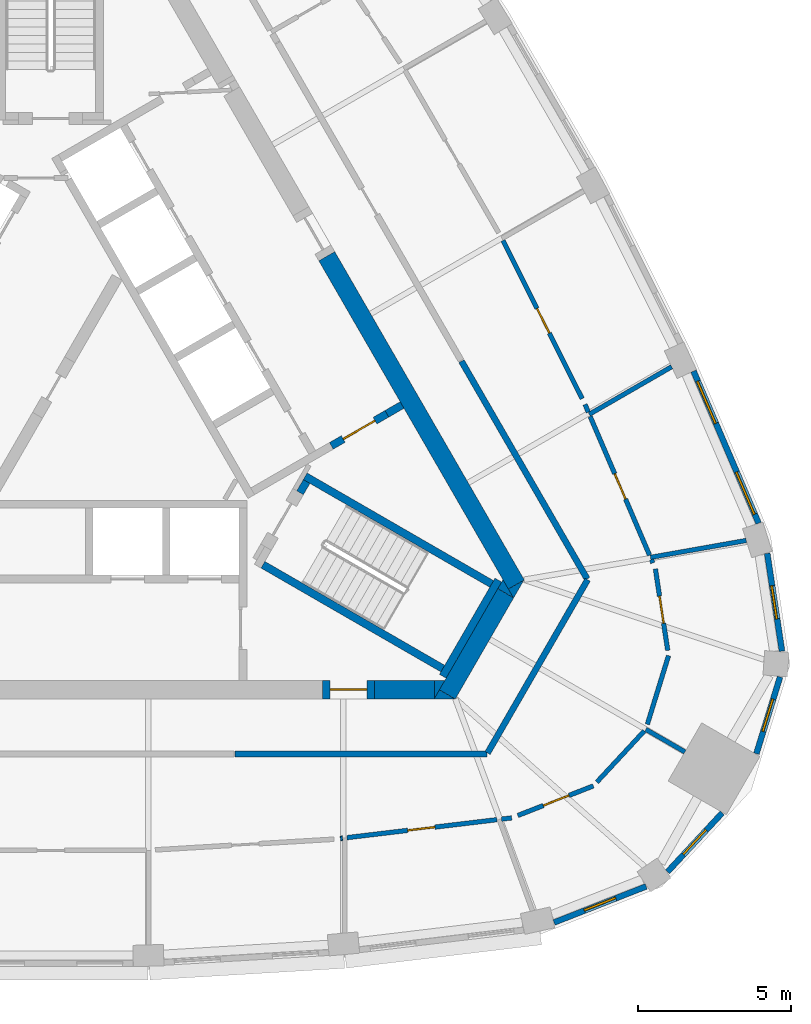
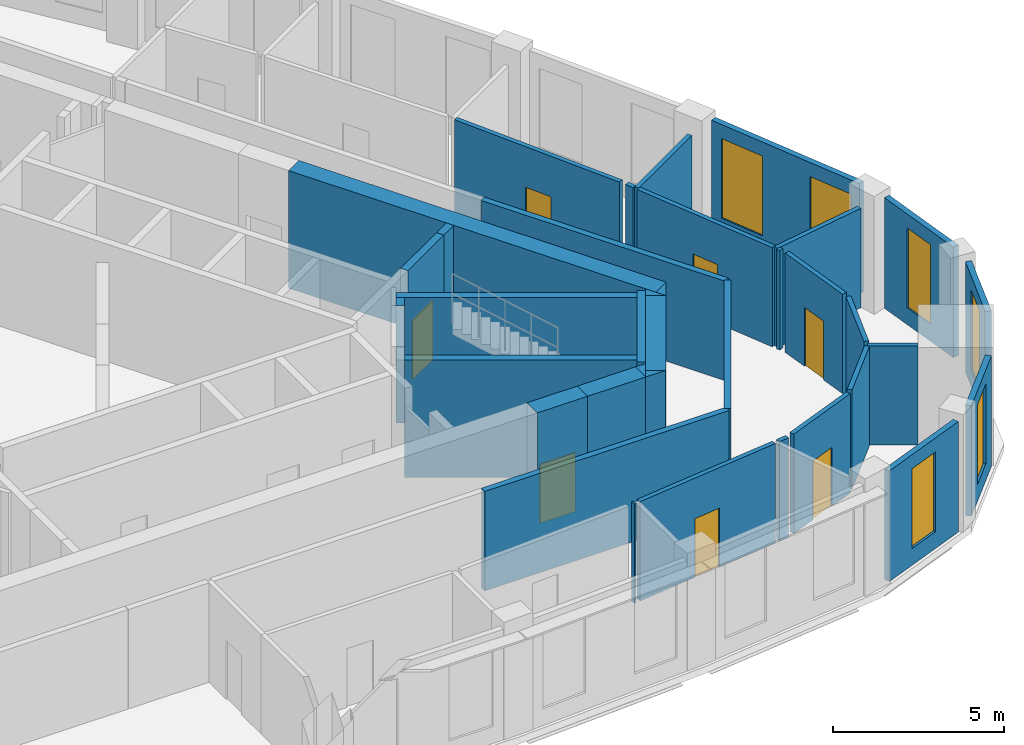
# One storey, part 7 of 10: 36 walls, 7 doors, 6 windows, 13 openings.
"""IFC4 building model written with IfcOpenShell, lengths in metres."""

from ifc_helpers import new_model, si_unit, direction, frame, frame_2d, origin, place, context, subcontext, project, spatial, polyline, rectangle, outline, extrude, material, layer, layer_set, type_object, element, fill, save


model = new_model("IFC4")

# Units and contexts
model_context = context("Model", 3, precision=1e-05, world=origin(), true_north=direction((0.0, 1.0)))
body_context = subcontext(model_context, "Body", "Model", "MODEL_VIEW")
ifc_project = project(units=[si_unit("LENGTHUNIT", "METRE"), si_unit("AREAUNIT", "SQUARE_METRE"), si_unit("VOLUMEUNIT", "CUBIC_METRE"), si_unit("PLANEANGLEUNIT", "RADIAN"), si_unit("MASSUNIT", "GRAM", prefix="KILO")], contexts=[model_context])

# Site, building, storey
site_placement = place(None, origin())
site = spatial("IfcSite", under=ifc_project, at=site_placement, CompositionType="ELEMENT")
building_placement = place(site_placement, origin())
building = spatial("IfcBuilding", under=site, at=building_placement, Name="Mestral Congress Tower", CompositionType="ELEMENT")
storey_placement = place(building_placement, frame((0.0, 0.0, 267.0)))
storey = spatial("IfcBuildingStorey", under=building, at=storey_placement, Name="L62", CompositionType="ELEMENT", Elevation=267.0)

# Walls
ifc_material_1 = material(Name="Concrete C60/75", Category="concrete")
ifc_layer_1 = layer(ifc_material_1, 0.60009765625)
ifc_layer_set_1 = layer_set([ifc_layer_1], Name="Concrete C60/75")
wall_type_1 = type_object("IfcWallType", Name="Core wall RC 600", PredefinedType="SOLIDWALL", material=ifc_layer_set_1)
wall_1_placement = place(storey_placement, frame((9.0419921875, 4.23876953125, 0.0), z_axis=(0.0, 0.0, 1.0), x_axis=(0.500005785455, -0.866022063525, 0.0)))
element("IfcWall", 1, at=wall_1_placement, inside=storey, type_object=wall_type_1, Name="L62 core wall", PredefinedType="SOLIDWALL", context=body_context, shape_type="SweptSolid", body=[
    extrude(rectangle(XDim=12.406494140625, YDim=0.60009765625, at=frame_2d((6.203125, 0.0))), origin(), (0.0, 0.0, 1.0), 4.199951171875),
])
placement = place(storey_placement, origin())
element("IfcWall", 2, at=placement, inside=storey, type_object=wall_type_1, Name="L62 core wall", PredefinedType="SOLIDWALL", context=body_context, shape_type="SweptSolid", body=[
    extrude(outline(polyline([(15.155517578125, -6.949951171875), (14.986572265625, -6.6572265625), (15.493408203125, -6.364501953125), (15.155517578125, -6.949951171875)])), origin(), (0.0, 0.0, 1.0), 4.199951171875),
])
wall_3_placement = place(storey_placement, frame((12.9873046875, -10.105712890625, 0.0), z_axis=(0.0, 0.0, 1.0), x_axis=(0.499950938802, 0.866053727428, 0.0)))
element("IfcWall", 3, at=wall_3_placement, inside=storey, type_object=wall_type_1, Name="L62 core wall", PredefinedType="SOLIDWALL", context=body_context, shape_type="SweptSolid", body=[
    extrude(rectangle(XDim=3.8232421875, YDim=0.60009765625, at=frame_2d((1.91162109375, 0.0))), origin(), (0.0, 0.0, 1.0), 4.199951171875),
])
element("IfcWall", 4, at=placement, inside=storey, type_object=wall_type_1, Name="L62 core wall", PredefinedType="SOLIDWALL", context=body_context, shape_type="SweptSolid", body=[
    extrude(outline(polyline([(12.726318359375, -9.957275390625), (13.2333984375, -10.25), (12.557373046875, -10.25), (12.726318359375, -9.957275390625)])), origin(), (0.0, 0.0, 1.0), 4.199951171875),
])
element("IfcWall", 5, at=placement, inside=storey, type_object=wall_type_1, Name="L62 core wall", PredefinedType="SOLIDWALL", context=body_context, shape_type="SweptSolid", body=[
    extrude(outline(polyline([(14.80908203125, -6.35009765625), (15.147216796875, -6.935791015625), (14.639892578125, -6.642822265625), (14.80908203125, -6.35009765625)])), origin(), (0.0, 0.0, 1.0), 4.199951171875),
])
wall_6_placement = place(storey_placement, frame((10.6044921875, -9.949951171875, 0.0), z_axis=(0.0, 0.0, 1.0), x_axis=(1.0, 0.0, 0.0)))
element("IfcWall", 6, at=wall_6_placement, inside=storey, type_object=wall_type_1, Name="L62 core wall", PredefinedType="SOLIDWALL", context=body_context, shape_type="SweptSolid", body=[
    extrude(rectangle(XDim=1.959228515625, YDim=0.60009765625, at=frame_2d((0.9794921875, 0.0))), origin(), (0.0, 0.0, 1.0), 4.199951171875),
])
element("IfcWall", 7, at=placement, inside=storey, type_object=wall_type_1, Name="L62 core wall", PredefinedType="SOLIDWALL", context=body_context, shape_type="SweptSolid", body=[
    extrude(outline(polyline([(12.90380859375, -9.64990234375), (12.56591796875, -10.235595703125), (12.56591796875, -9.64990234375), (12.90380859375, -9.64990234375)])), origin(), (0.0, 0.0, 1.0), 4.199951171875),
])

# Wall, opening, door
wall_8_placement = place(storey_placement, frame((10.6044921875, -9.949951171875, 0.0), z_axis=(0.0, 0.0, 1.0), x_axis=(-1.0, 0.0, 0.0)))
wall_8 = element("IfcWall", 8, at=wall_8_placement, inside=storey, type_object=wall_type_1, Name="L62 door wall", PredefinedType="SOLIDWALL", context=body_context, shape_type="SweptSolid", body=[
    extrude(rectangle(XDim=1.699951171875, YDim=0.60009765625, at=frame_2d((0.85009765625, 0.0))), origin(), (0.0, 0.0, 1.0), 4.199951171875),
])
opening_1_placement = place(wall_8_placement, frame((0.25, 0.0, 0.0)))
opening_1 = element("IfcOpeningElement", 9, at=opening_1_placement, cuts=wall_8, Name="Opening XD1", PredefinedType="OPENING", context=body_context, shape_type="SweptSolid", body=[
    extrude(rectangle(XDim=1.199951171875, YDim=2.10009765625, at=frame_2d((0.60009765625, 1.050048828125))), frame((0.0, 0.31005859375, 0.0), z_axis=(0.0, -1.0, 0.0), x_axis=(1.0, 0.0, 0.0)), (0.0, 0.0, 1.0), 0.6201171875),
])
ifc_material_2 = material(Name="Fire-rated steel door set", Category="steel")
door_type_1 = type_object("IfcDoorType", Name="Core door XD 1200x2100", OperationType="SINGLE_SWING_LEFT", PredefinedType="DOOR", material=ifc_material_2)
door_1_placement = place(opening_1_placement, origin())
door_1 = element("IfcDoor", 10, at=door_1_placement, inside=storey, type_object=door_type_1, Name="Door XD1", OperationType="SINGLE_SWING_LEFT", OverallHeight=2.10009765625, OverallWidth=1.199951171875, PredefinedType="DOOR", context=body_context, shape_type="SweptSolid", body=[
    extrude(rectangle(XDim=1.199951171875, YDim=2.10009765625, at=frame_2d((0.60009765625, 1.050048828125))), frame((0.0, 0.02490234375, 0.0), z_axis=(0.0, -1.0, 0.0), x_axis=(1.0, 0.0, 0.0)), (0.0, 0.0, 1.0), 0.050048828125),
])
fill(opening_1, door_1)

# Wall, opening, window
ifc_material_3 = material(Name="Precast concrete C40/50 with limestone facing", Category="masonry")
ifc_layer_2 = layer(ifc_material_3, 0.18994140625)
ifc_layer_set_2 = layer_set([ifc_layer_2], Name="Precast concrete C40/50 with limestone facing")
wall_type_2 = type_object("IfcWallType", Name="Facade stone wall 190", PredefinedType="SOLIDWALL", material=ifc_layer_set_2)
wall_9_placement = place(storey_placement, frame((16.48291015625, -17.572998046875, 0.0), z_axis=(0.0, 0.0, 1.0), x_axis=(0.93100888477, 0.364996515709, 0.0)))
wall_9 = element("IfcWall", 11, at=wall_9_placement, inside=storey, type_object=wall_type_2, Name="Facade wall K0-0", PredefinedType="SOLIDWALL", context=body_context, shape_type="SweptSolid", body=[
    extrude(rectangle(XDim=3.23681640625, YDim=0.18994140625, at=frame_2d((1.618408203125, 0.0))), origin(), (0.0, 0.0, 1.0), 3.949951171875),
])
opening_2_placement = place(wall_9_placement, frame((1.068359375, 0.0, 0.60009765625)))
opening_2 = element("IfcOpeningElement", 12, at=opening_2_placement, cuts=wall_9, Name="Opening W7", PredefinedType="OPENING", context=body_context, shape_type="SweptSolid", body=[
    extrude(rectangle(XDim=1.10009765625, YDim=2.85009765625, at=frame_2d((0.550048828125, 1.425048828125))), frame((0.0, 0.10498046875, 0.0), z_axis=(0.0, -1.0, 0.0), x_axis=(1.0, 0.0, 0.0)), (0.0, 0.0, 1.0), 0.2099609375),
])
ifc_material_4 = material(Name="Clear low-emissivity double glazing", Category="glass")
window_type_1 = type_object("IfcWindowType", Name="Facade punched window 1100 x 2850 sill 600", PartitioningType="SINGLE_PANEL", PredefinedType="WINDOW", material=ifc_material_4)
window_1_placement = place(opening_2_placement, origin())
window_1 = element("IfcWindow", 13, at=window_1_placement, inside=storey, type_object=window_type_1, Name="Window K0-0", OverallHeight=2.85009765625, OverallWidth=1.10009765625, PartitioningType="SINGLE_PANEL", PredefinedType="WINDOW", context=body_context, shape_type="SweptSolid", body=[
    extrude(rectangle(XDim=1.10009765625, YDim=2.85009765625, at=frame_2d((0.550048828125, 1.425048828125))), frame((0.0, 0.044921875, 0.0), z_axis=(0.0, -1.0, 0.0), x_axis=(1.0, 0.0, 0.0)), (0.0, 0.0, 1.0), 0.06005859375),
])
fill(opening_2, window_1)

wall_10_placement = place(storey_placement, frame((20.197998046875, -15.91357421875, 0.0), z_axis=(0.0, 0.0, 1.0), x_axis=(0.680219354823, 0.733008614768, 0.0)))
wall_10 = element("IfcWall", 14, at=wall_10_placement, inside=storey, type_object=wall_type_2, Name="Facade wall K0-1", PredefinedType="SOLIDWALL", context=body_context, shape_type="SweptSolid", body=[
    extrude(rectangle(XDim=2.626953125, YDim=0.18994140625, at=frame_2d((1.3134765625, 0.0))), origin(), (0.0, 0.0, 1.0), 3.949951171875),
])
opening_3_placement = place(wall_10_placement, frame((0.763427734375, 0.0, 0.60009765625)))
opening_3 = element("IfcOpeningElement", 15, at=opening_3_placement, cuts=wall_10, Name="Opening W7", PredefinedType="OPENING", context=body_context, shape_type="SweptSolid", body=[
    extrude(rectangle(XDim=1.10009765625, YDim=2.85009765625, at=frame_2d((0.550048828125, 1.425048828125))), frame((0.0, 0.10498046875, 0.0), z_axis=(0.0, -1.0, 0.0), x_axis=(1.0, 0.0, 0.0)), (0.0, 0.0, 1.0), 0.2099609375),
])
window_2_placement = place(opening_3_placement, origin())
window_2 = element("IfcWindow", 16, at=window_2_placement, inside=storey, type_object=window_type_1, Name="Window K0-1", OverallHeight=2.85009765625, OverallWidth=1.10009765625, PartitioningType="SINGLE_PANEL", PredefinedType="WINDOW", context=body_context, shape_type="SweptSolid", body=[
    extrude(rectangle(XDim=1.10009765625, YDim=2.85009765625, at=frame_2d((0.550048828125, 1.425048828125))), frame((0.0, 0.044921875, 0.0), z_axis=(0.0, -1.0, 0.0), x_axis=(1.0, 0.0, 0.0)), (0.0, 0.0, 1.0), 0.06005859375),
])
fill(opening_3, window_2)

wall_11_placement = place(storey_placement, frame((23.1064453125, -12.04541015625, 0.0), z_axis=(0.0, 0.0, 1.0), x_axis=(0.294706210429, 0.9555879078, 0.0)))
wall_11 = element("IfcWall", 17, at=wall_11_placement, inside=storey, type_object=wall_type_2, Name="Facade wall K0-2", PredefinedType="SOLIDWALL", context=body_context, shape_type="SweptSolid", body=[
    extrude(rectangle(XDim=2.626953125, YDim=0.18994140625, at=frame_2d((1.3134765625, 0.0))), origin(), (0.0, 0.0, 1.0), 3.949951171875),
])
opening_4_placement = place(wall_11_placement, frame((0.763427734375, 0.0, 0.60009765625)))
opening_4 = element("IfcOpeningElement", 18, at=opening_4_placement, cuts=wall_11, Name="Opening W7", PredefinedType="OPENING", context=body_context, shape_type="SweptSolid", body=[
    extrude(rectangle(XDim=1.10009765625, YDim=2.85009765625, at=frame_2d((0.550048828125, 1.425048828125))), frame((0.0, 0.10498046875, 0.0), z_axis=(0.0, -1.0, 0.0), x_axis=(1.0, 0.0, 0.0)), (0.0, 0.0, 1.0), 0.2099609375),
])
window_3_placement = place(opening_4_placement, origin())
window_3 = element("IfcWindow", 19, at=window_3_placement, inside=storey, type_object=window_type_1, Name="Window K0-2", OverallHeight=2.85009765625, OverallWidth=1.10009765625, PartitioningType="SINGLE_PANEL", PredefinedType="WINDOW", context=body_context, shape_type="SweptSolid", body=[
    extrude(rectangle(XDim=1.10009765625, YDim=2.85009765625, at=frame_2d((0.550048828125, 1.425048828125))), frame((0.0, 0.044921875, 0.0), z_axis=(0.0, -1.0, 0.0), x_axis=(1.0, 0.0, 0.0)), (0.0, 0.0, 1.0), 0.06005859375),
])
fill(opening_4, window_3)

wall_12_placement = place(storey_placement, frame((23.94384765625, -8.6884765625, 0.0), z_axis=(0.0, 0.0, 1.0), x_axis=(-0.149421055602, 0.988773658702, 0.0)))
wall_12 = element("IfcWall", 20, at=wall_12_placement, inside=storey, type_object=wall_type_2, Name="Facade wall K0-3", PredefinedType="SOLIDWALL", context=body_context, shape_type="SweptSolid", body=[
    extrude(rectangle(XDim=3.23681640625, YDim=0.18994140625, at=frame_2d((1.618408203125, 0.0))), origin(), (0.0, 0.0, 1.0), 3.949951171875),
])
opening_5_placement = place(wall_12_placement, frame((1.068359375, 0.0, 0.60009765625)))
opening_5 = element("IfcOpeningElement", 21, at=opening_5_placement, cuts=wall_12, Name="Opening W7", PredefinedType="OPENING", context=body_context, shape_type="SweptSolid", body=[
    extrude(rectangle(XDim=1.10009765625, YDim=2.85009765625, at=frame_2d((0.550048828125, 1.425048828125))), frame((0.0, 0.10498046875, 0.0), z_axis=(0.0, -1.0, 0.0), x_axis=(1.0, 0.0, 0.0)), (0.0, 0.0, 1.0), 0.2099609375),
])
window_4_placement = place(opening_5_placement, origin())
window_4 = element("IfcWindow", 22, at=window_4_placement, inside=storey, type_object=window_type_1, Name="Window K0-3", OverallHeight=2.85009765625, OverallWidth=1.10009765625, PartitioningType="SINGLE_PANEL", PredefinedType="WINDOW", context=body_context, shape_type="SweptSolid", body=[
    extrude(rectangle(XDim=1.10009765625, YDim=2.85009765625, at=frame_2d((0.550048828125, 1.425048828125))), frame((0.0, 0.044921875, 0.0), z_axis=(0.0, -1.0, 0.0), x_axis=(1.0, 0.0, 0.0)), (0.0, 0.0, 1.0), 0.06005859375),
])
fill(opening_5, window_4)

# Wall, openings, windows
wall_13_placement = place(storey_placement, frame((23.1787109375, -4.50048828125, 0.0), z_axis=(0.0, 0.0, 1.0), x_axis=(-0.393347848476, 0.919389726992, 0.0)))
wall_13 = element("IfcWall", 23, at=wall_13_placement, inside=storey, type_object=wall_type_2, Name="Facade wall F1-00", PredefinedType="SOLIDWALL", context=body_context, shape_type="SweptSolid", body=[
    extrude(rectangle(XDim=5.414794921875, YDim=0.18994140625, at=frame_2d((2.70751953125, 0.0))), origin(), (0.0, 0.0, 1.0), 3.949951171875),
])
opening_6_placement = place(wall_13_placement, frame((0.322509765625, 0.0, 0.60009765625)))
opening_6 = element("IfcOpeningElement", 24, at=opening_6_placement, cuts=wall_13, Name="Opening W6", PredefinedType="OPENING", context=body_context, shape_type="SweptSolid", body=[
    extrude(rectangle(XDim=1.5, YDim=2.85009765625, at=frame_2d((0.75, 1.425048828125))), frame((0.0, 0.10498046875, 0.0), z_axis=(0.0, -1.0, 0.0), x_axis=(1.0, 0.0, 0.0)), (0.0, 0.0, 1.0), 0.2099609375),
])
opening_7_placement = place(wall_13_placement, frame((3.5576171875, 0.0, 0.60009765625)))
opening_7 = element("IfcOpeningElement", 25, at=opening_7_placement, cuts=wall_13, Name="Opening W6", PredefinedType="OPENING", context=body_context, shape_type="SweptSolid", body=[
    extrude(rectangle(XDim=1.5, YDim=2.85009765625, at=frame_2d((0.75, 1.425048828125))), frame((0.0, 0.10498046875, 0.0), z_axis=(0.0, -1.0, 0.0), x_axis=(1.0, 0.0, 0.0)), (0.0, 0.0, 1.0), 0.2099609375),
])
window_type_2 = type_object("IfcWindowType", Name="Facade punched window 1500 x 2850 sill 600", PartitioningType="SINGLE_PANEL", PredefinedType="WINDOW", material=ifc_material_4)
window_5_placement = place(opening_6_placement, origin())
window_5 = element("IfcWindow", 26, at=window_5_placement, inside=storey, type_object=window_type_2, Name="Window F1-00a", OverallHeight=2.85009765625, OverallWidth=1.5, PartitioningType="SINGLE_PANEL", PredefinedType="WINDOW", context=body_context, shape_type="SweptSolid", body=[
    extrude(rectangle(XDim=1.5, YDim=2.85009765625, at=frame_2d((0.75, 1.425048828125))), frame((0.0, 0.044921875, 0.0), z_axis=(0.0, -1.0, 0.0), x_axis=(1.0, 0.0, 0.0)), (0.0, 0.0, 1.0), 0.06005859375),
])
fill(opening_6, window_5)
window_6_placement = place(opening_7_placement, origin())
window_6 = element("IfcWindow", 27, at=window_6_placement, inside=storey, type_object=window_type_2, Name="Window F1-00b", OverallHeight=2.85009765625, OverallWidth=1.5, PartitioningType="SINGLE_PANEL", PredefinedType="WINDOW", context=body_context, shape_type="SweptSolid", body=[
    extrude(rectangle(XDim=1.5, YDim=2.85009765625, at=frame_2d((0.75, 1.425048828125))), frame((0.0, 0.044921875, 0.0), z_axis=(0.0, -1.0, 0.0), x_axis=(1.0, 0.0, 0.0)), (0.0, 0.0, 1.0), 0.06005859375),
])
fill(opening_7, window_6)

# Wall
ifc_material_5 = material(Name="Plasterboard partition on steel studs", Category="steel")
ifc_layer_3 = layer(ifc_material_5, 0.14990234375)
ifc_layer_set_3 = layer_set([ifc_layer_3], Name="Plasterboard partition on steel studs")
wall_type_3 = type_object("IfcWallType", Name="Office partition 150", PredefinedType="PARTITIONING", material=ifc_layer_set_3)
wall_14_placement = place(storey_placement, frame((9.492431640625, -14.8203125, 0.0), z_axis=(0.0, 0.0, 1.0), x_axis=(0.993123019804, 0.117075477944, 0.0)))
element("IfcWall", 28, at=wall_14_placement, inside=storey, type_object=wall_type_3, Name="Partition", PredefinedType="PARTITIONING", context=body_context, shape_type="SweptSolid", body=[
    extrude(rectangle(XDim=0.060546875, YDim=0.14990234375, at=frame_2d((0.0302734375, 0.0))), origin(), (0.0, 0.0, 1.0), 3.550048828125),
])

# Wall, opening, door
wall_15_placement = place(storey_placement, frame((14.609619140625, -14.206787109375, 0.0), z_axis=(0.0, 0.0, 1.0), x_axis=(-0.992888520801, -0.119047827618, 0.0)))
wall_15 = element("IfcWall", 29, at=wall_15_placement, inside=storey, type_object=wall_type_3, Name="Partition", PredefinedType="PARTITIONING", context=body_context, shape_type="SweptSolid", body=[
    extrude(rectangle(XDim=4.9423828125, YDim=0.14990234375, at=frame_2d((2.47119140625, 0.0))), origin(), (0.0, 0.0, 1.0), 3.550048828125),
])
opening_8_placement = place(wall_15_placement, frame((2.042236328125, 0.0, 0.0)))
opening_8 = element("IfcOpeningElement", 30, at=opening_8_placement, cuts=wall_15, Name="Opening O11-004", PredefinedType="OPENING", context=body_context, shape_type="SweptSolid", body=[
    extrude(rectangle(XDim=0.89990234375, YDim=2.10009765625, at=frame_2d((0.449951171875, 1.050048828125))), frame((0.0, 0.0849609375, 0.0), z_axis=(0.0, -1.0, 0.0), x_axis=(1.0, 0.0, 0.0)), (0.0, 0.0, 1.0), 0.169921875),
])
ifc_material_6 = material(Name="Timber door set", Category="wood")
door_type_2 = type_object("IfcDoorType", Name="Office door 900x2100", OperationType="SINGLE_SWING_LEFT", PredefinedType="DOOR", material=ifc_material_6)
door_2_placement = place(opening_8_placement, origin())
door_2 = element("IfcDoor", 31, at=door_2_placement, inside=storey, type_object=door_type_2, Name="Door O11-004", OperationType="SINGLE_SWING_RIGHT", OverallHeight=2.10009765625, OverallWidth=0.89990234375, PredefinedType="DOOR", context=body_context, shape_type="SweptSolid", body=[
    extrude(rectangle(XDim=0.89990234375, YDim=2.10009765625, at=frame_2d((0.449951171875, 1.050048828125))), frame((0.0, 0.02490234375, 0.0), z_axis=(0.0, -1.0, 0.0), x_axis=(1.0, 0.0, 0.0)), (0.0, 0.0, 1.0), 0.050048828125),
])
fill(opening_8, door_2)

# Walls
wall_16_placement = place(storey_placement, frame((19.485107421875, -11.249755859375, 0.0), z_axis=(0.0, 0.0, 1.0), x_axis=(0.866039857565, -0.499974964482, 0.0)))
element("IfcWall", 32, at=wall_16_placement, inside=storey, type_object=wall_type_3, Name="Partition", PredefinedType="PARTITIONING", context=body_context, shape_type="SweptSolid", body=[
    extrude(rectangle(XDim=1.478515625, YDim=0.14990234375, at=frame_2d((0.7392578125, 0.0))), origin(), (0.0, 0.0, 1.0), 3.550048828125),
])
wall_17_placement = place(storey_placement, frame((14.762451171875, -14.1884765625, 0.0), z_axis=(0.0, 0.0, 1.0), x_axis=(0.992894100983, 0.11900127828, 0.0)))
element("IfcWall", 33, at=wall_17_placement, inside=storey, type_object=wall_type_3, Name="Partition", PredefinedType="PARTITIONING", context=body_context, shape_type="SweptSolid", body=[
    extrude(rectangle(XDim=0.33447265625, YDim=0.14990234375, at=frame_2d((0.167236328125, 0.0))), origin(), (0.0, 0.0, 1.0), 3.550048828125),
])

# Wall, opening, door
wall_18_placement = place(storey_placement, frame((17.767333984375, -13.1005859375, 0.0), z_axis=(0.0, 0.0, 1.0), x_axis=(-0.930971361221, -0.365092213812, 0.0)))
wall_18 = element("IfcWall", 34, at=wall_18_placement, inside=storey, type_object=wall_type_3, Name="Partition", PredefinedType="PARTITIONING", context=body_context, shape_type="SweptSolid", body=[
    extrude(rectangle(XDim=2.65673828125, YDim=0.14990234375, at=frame_2d((1.328369140625, 0.0))), origin(), (0.0, 0.0, 1.0), 3.550048828125),
])
opening_9_placement = place(wall_18_placement, frame((0.856689453125, 0.0, 0.0)))
opening_9 = element("IfcOpeningElement", 35, at=opening_9_placement, cuts=wall_18, Name="Opening O11-005", PredefinedType="OPENING", context=body_context, shape_type="SweptSolid", body=[
    extrude(rectangle(XDim=0.89990234375, YDim=2.10009765625, at=frame_2d((0.449951171875, 1.050048828125))), frame((0.0, 0.0849609375, 0.0), z_axis=(0.0, -1.0, 0.0), x_axis=(1.0, 0.0, 0.0)), (0.0, 0.0, 1.0), 0.169921875),
])
door_3_placement = place(opening_9_placement, origin())
door_3 = element("IfcDoor", 36, at=door_3_placement, inside=storey, type_object=door_type_2, Name="Door O11-005", OperationType="SINGLE_SWING_LEFT", OverallHeight=2.10009765625, OverallWidth=0.89990234375, PredefinedType="DOOR", context=body_context, shape_type="SweptSolid", body=[
    extrude(rectangle(XDim=0.89990234375, YDim=2.10009765625, at=frame_2d((0.449951171875, 1.050048828125))), frame((0.0, 0.02490234375, 0.0), z_axis=(0.0, -1.0, 0.0), x_axis=(1.0, 0.0, 0.0)), (0.0, 0.0, 1.0), 0.050048828125),
])
fill(opening_9, door_3)

# Walls
wall_19_placement = place(storey_placement, frame((17.885009765625, -12.97412109375, 0.0), z_axis=(0.0, 0.0, 1.0), x_axis=(0.680220611996, 0.733007448132, 0.0)))
element("IfcWall", 37, at=wall_19_placement, inside=storey, type_object=wall_type_3, Name="Partition", PredefinedType="PARTITIONING", context=body_context, shape_type="SweptSolid", body=[
    extrude(rectangle(XDim=2.275634765625, YDim=0.14990234375, at=frame_2d((1.1376953125, 0.0))), origin(), (0.0, 0.0, 1.0), 3.550048828125),
])
wall_20_placement = place(storey_placement, frame((19.638671875, -5.61962890625, 0.0), z_axis=(0.0, 0.0, 1.0), x_axis=(0.984765028635, 0.173890305586, 0.0)))
element("IfcWall", 38, at=wall_20_placement, inside=storey, type_object=wall_type_3, Name="Partition", PredefinedType="PARTITIONING", context=body_context, shape_type="SweptSolid", body=[
    extrude(rectangle(XDim=3.184326171875, YDim=0.14990234375, at=frame_2d((1.59228515625, 0.0))), origin(), (0.0, 0.0, 1.0), 3.550048828125),
])
wall_21_placement = place(storey_placement, frame((19.5361328125, -11.084716796875, 0.0), z_axis=(0.0, 0.0, 1.0), x_axis=(0.294632751805, 0.955610559571, 0.0)))
element("IfcWall", 39, at=wall_21_placement, inside=storey, type_object=wall_type_3, Name="Partition", PredefinedType="PARTITIONING", context=body_context, shape_type="SweptSolid", body=[
    extrude(rectangle(XDim=2.3525390625, YDim=0.14990234375, at=frame_2d((1.17626953125, 0.0))), origin(), (0.0, 0.0, 1.0), 3.550048828125),
])

# Wall, opening, door
wall_22_placement = place(storey_placement, frame((19.80029296875, -5.997802734375, 0.0), z_axis=(0.0, 0.0, 1.0), x_axis=(0.149384554916, -0.988779173907, 0.0)))
wall_22 = element("IfcWall", 40, at=wall_22_placement, inside=storey, type_object=wall_type_3, Name="Partition", PredefinedType="PARTITIONING", context=body_context, shape_type="SweptSolid", body=[
    extrude(rectangle(XDim=2.6982421875, YDim=0.14990234375, at=frame_2d((1.34912109375, 0.0))), origin(), (0.0, 0.0, 1.0), 3.550048828125),
])
opening_10_placement = place(wall_22_placement, frame((0.898193359375, 0.0, 0.0)))
opening_10 = element("IfcOpeningElement", 41, at=opening_10_placement, cuts=wall_22, Name="Opening O11-006", PredefinedType="OPENING", context=body_context, shape_type="SweptSolid", body=[
    extrude(rectangle(XDim=0.89990234375, YDim=2.10009765625, at=frame_2d((0.449951171875, 1.050048828125))), frame((0.0, 0.0849609375, 0.0), z_axis=(0.0, -1.0, 0.0), x_axis=(1.0, 0.0, 0.0)), (0.0, 0.0, 1.0), 0.169921875),
])
door_4_placement = place(opening_10_placement, origin())
door_4 = element("IfcDoor", 42, at=door_4_placement, inside=storey, type_object=door_type_2, Name="Door O11-006", OperationType="SINGLE_SWING_LEFT", OverallHeight=2.10009765625, OverallWidth=0.89990234375, PredefinedType="DOOR", context=body_context, shape_type="SweptSolid", body=[
    extrude(rectangle(XDim=0.89990234375, YDim=2.10009765625, at=frame_2d((0.449951171875, 1.050048828125))), frame((0.0, 0.02490234375, 0.0), z_axis=(0.0, -1.0, 0.0), x_axis=(1.0, 0.0, 0.0)), (0.0, 0.0, 1.0), 0.050048828125),
])
fill(opening_10, door_4)

# Walls
wall_23_placement = place(storey_placement, frame((19.716064453125, -5.80078125, 0.0), z_axis=(0.0, 0.0, 1.0), x_axis=(-0.394409976498, 0.918934584418, 0.0)))
element("IfcWall", 43, at=wall_23_placement, inside=storey, type_object=wall_type_3, Name="Partition", PredefinedType="PARTITIONING", context=body_context, shape_type="SweptSolid", body=[
    extrude(rectangle(XDim=0.1201171875, YDim=0.14990234375, at=frame_2d((0.06005859375, 0.0))), origin(), (0.0, 0.0, 1.0), 3.550048828125),
])
wall_24_placement = place(storey_placement, frame((17.634521484375, -0.935546875, 0.0), z_axis=(0.0, 0.0, 1.0), x_axis=(0.866044607523, 0.499966736674, 0.0)))
element("IfcWall", 44, at=wall_24_placement, inside=storey, type_object=wall_type_3, Name="Partition", PredefinedType="PARTITIONING", context=body_context, shape_type="SweptSolid", body=[
    extrude(rectangle(XDim=3.114501953125, YDim=0.14990234375, at=frame_2d((1.55712890625, 0.0))), origin(), (0.0, 0.0, 1.0), 3.550048828125),
])

# Wall, opening, door
wall_25_placement = place(storey_placement, frame((17.664306640625, -1.0048828125, 0.0), z_axis=(0.0, 0.0, 1.0), x_axis=(0.393352855097, -0.919387584964, 0.0)))
wall_25 = element("IfcWall", 45, at=wall_25_placement, inside=storey, type_object=wall_type_3, Name="Partition", PredefinedType="PARTITIONING", context=body_context, shape_type="SweptSolid", body=[
    extrude(rectangle(XDim=4.9423828125, YDim=0.14990234375, at=frame_2d((2.47119140625, 0.0))), origin(), (0.0, 0.0, 1.0), 3.550048828125),
])
opening_11_placement = place(wall_25_placement, frame((2.042236328125, 0.0, 0.0)))
opening_11 = element("IfcOpeningElement", 46, at=opening_11_placement, cuts=wall_25, Name="Opening O11-007", PredefinedType="OPENING", context=body_context, shape_type="SweptSolid", body=[
    extrude(rectangle(XDim=0.89990234375, YDim=2.10009765625, at=frame_2d((0.449951171875, 1.050048828125))), frame((0.0, 0.0849609375, 0.0), z_axis=(0.0, -1.0, 0.0), x_axis=(1.0, 0.0, 0.0)), (0.0, 0.0, 1.0), 0.169921875),
])
door_5_placement = place(opening_11_placement, origin())
door_5 = element("IfcDoor", 47, at=door_5_placement, inside=storey, type_object=door_type_2, Name="Door O11-007", OperationType="SINGLE_SWING_RIGHT", OverallHeight=2.10009765625, OverallWidth=0.89990234375, PredefinedType="DOOR", context=body_context, shape_type="SweptSolid", body=[
    extrude(rectangle(XDim=0.89990234375, YDim=2.10009765625, at=frame_2d((0.449951171875, 1.050048828125))), frame((0.0, 0.02490234375, 0.0), z_axis=(0.0, -1.0, 0.0), x_axis=(1.0, 0.0, 0.0)), (0.0, 0.0, 1.0), 0.050048828125),
])
fill(opening_11, door_5)

# Wall
wall_26_placement = place(storey_placement, frame((17.604736328125, -0.8662109375, 0.0), z_axis=(0.0, 0.0, 1.0), x_axis=(-0.393169369927, 0.919466066014, 0.0)))
element("IfcWall", 48, at=wall_26_placement, inside=storey, type_object=wall_type_3, Name="Partition", PredefinedType="PARTITIONING", context=body_context, shape_type="SweptSolid", body=[
    extrude(rectangle(XDim=0.275146484375, YDim=0.14990234375, at=frame_2d((0.1376953125, 0.0))), origin(), (0.0, 0.0, 1.0), 3.550048828125),
])

# Wall, opening, door
wall_27_placement = place(storey_placement, frame((14.810791015625, 4.75439453125, 0.0), z_axis=(0.0, 0.0, 1.0), x_axis=(0.447483524661, -0.894292175498, 0.0)))
wall_27 = element("IfcWall", 49, at=wall_27_placement, inside=storey, type_object=wall_type_3, Name="Partition", PredefinedType="PARTITIONING", context=body_context, shape_type="SweptSolid", body=[
    extrude(rectangle(XDim=5.7880859375, YDim=0.14990234375, at=frame_2d((2.89404296875, 0.0))), origin(), (0.0, 0.0, 1.0), 3.550048828125),
])
opening_12_placement = place(wall_27_placement, frame((2.488037109375, 0.0, 0.0)))
opening_12 = element("IfcOpeningElement", 50, at=opening_12_placement, cuts=wall_27, Name="Opening O11-008", PredefinedType="OPENING", context=body_context, shape_type="SweptSolid", body=[
    extrude(rectangle(XDim=0.89990234375, YDim=2.10009765625, at=frame_2d((0.449951171875, 1.050048828125))), frame((0.0, 0.0849609375, 0.0), z_axis=(0.0, -1.0, 0.0), x_axis=(1.0, 0.0, 0.0)), (0.0, 0.0, 1.0), 0.169921875),
])
door_6_placement = place(opening_12_placement, origin())
door_6 = element("IfcDoor", 51, at=door_6_placement, inside=storey, type_object=door_type_2, Name="Door O11-008", OperationType="SINGLE_SWING_RIGHT", OverallHeight=2.10009765625, OverallWidth=0.89990234375, PredefinedType="DOOR", context=body_context, shape_type="SweptSolid", body=[
    extrude(rectangle(XDim=0.89990234375, YDim=2.10009765625, at=frame_2d((0.449951171875, 1.050048828125))), frame((0.0, 0.02490234375, 0.0), z_axis=(0.0, -1.0, 0.0), x_axis=(1.0, 0.0, 0.0)), (0.0, 0.0, 1.0), 0.050048828125),
])
fill(opening_12, door_6)

# Walls
ifc_material_7 = material(Name="Dense masonry wall, plastered", Category="masonry")
ifc_layer_4 = layer(ifc_material_7, 0.199951171875)
ifc_layer_set_4 = layer_set([ifc_layer_4], Name="Dense masonry wall, plastered")
wall_type_4 = type_object("IfcWallType", Name="Office tenancy wall 200", PredefinedType="PARTITIONING", material=ifc_layer_set_4)
wall_28_placement = place(storey_placement, frame((6.030029296875, -12.050048828125, 0.0), z_axis=(0.0, 0.0, 1.0), x_axis=(1.0, 0.0, 0.0)))
element("IfcWall", 52, at=wall_28_placement, inside=storey, type_object=wall_type_4, Name="Tenancy wall", PredefinedType="PARTITIONING", context=body_context, shape_type="SweptSolid", body=[
    extrude(rectangle(XDim=8.25927734375, YDim=0.199951171875, at=frame_2d((4.129638671875, 0.0))), origin(), (0.0, 0.0, 1.0), 3.550048828125),
])
wall_29_placement = place(storey_placement, frame((14.304443359375, -12.02392578125, 0.0), z_axis=(0.0, 0.0, 1.0), x_axis=(0.500010613097, 0.866019276224, 0.0)))
element("IfcWall", 53, at=wall_29_placement, inside=storey, type_object=wall_type_4, Name="Tenancy wall", PredefinedType="PARTITIONING", context=body_context, shape_type="SweptSolid", body=[
    extrude(rectangle(XDim=6.551513671875, YDim=0.199951171875, at=frame_2d((3.27587890625, 0.0))), origin(), (0.0, 0.0, 1.0), 3.550048828125),
])
wall_30_placement = place(storey_placement, frame((17.565185546875, -6.323974609375, 0.0), z_axis=(0.0, 0.0, 1.0), x_axis=(-0.499977548053, 0.866038366034, 0.0)))
element("IfcWall", 54, at=wall_30_placement, inside=storey, type_object=wall_type_4, Name="Tenancy wall", PredefinedType="PARTITIONING", context=body_context, shape_type="SweptSolid", body=[
    extrude(rectangle(XDim=8.2294921875, YDim=0.199951171875, at=frame_2d((4.11474609375, 0.0))), origin(), (0.0, 0.0, 1.0), 3.550048828125),
])
ifc_layer_5 = layer(ifc_material_1, 0.25)
ifc_layer_set_5 = layer_set([ifc_layer_5], Name="Concrete C60/75")
wall_type_5 = type_object("IfcWallType", Name="Shaft wall RC 250", PredefinedType="SOLIDWALL", material=ifc_layer_set_5)
wall_31_placement = place(storey_placement, frame((11.507080078125, -0.631103515625, 0.0), z_axis=(0.0, 0.0, 1.0), x_axis=(-0.866093731455, -0.499881634324, 0.0)))
element("IfcWall", 55, at=wall_31_placement, inside=storey, type_object=wall_type_5, Name="L62 core wall", PredefinedType="SOLIDWALL", context=body_context, shape_type="SweptSolid", body=[
    extrude(rectangle(XDim=0.575439453125, YDim=0.25, at=frame_2d((0.28759765625, 0.0))), origin(), (0.0, 0.0, 1.0), 4.199951171875),
])

# Wall, opening, door
wall_32_placement = place(storey_placement, frame((11.0087890625, -0.918701171875, 0.0), z_axis=(0.0, 0.0, 1.0), x_axis=(-0.866059744384, -0.49994051562, 0.0)))
wall_32 = element("IfcWall", 56, at=wall_32_placement, inside=storey, type_object=wall_type_5, Name="L62 door wall", PredefinedType="SOLIDWALL", context=body_context, shape_type="SweptSolid", body=[
    extrude(rectangle(XDim=2.099853515625, YDim=0.25, at=frame_2d((1.0498046875, 0.0))), origin(), (0.0, 0.0, 1.0), 4.199951171875),
])
opening_13_placement = place(wall_32_placement, frame((0.449951171875, 0.0, 0.0)))
opening_13 = element("IfcOpeningElement", 57, at=opening_13_placement, cuts=wall_32, Name="Opening LB1-PX10", PredefinedType="OPENING", context=body_context, shape_type="SweptSolid", body=[
    extrude(rectangle(XDim=1.199951171875, YDim=2.10009765625, at=frame_2d((0.60009765625, 1.050048828125))), frame((0.0, 0.135009765625, 0.0), z_axis=(0.0, -1.0, 0.0), x_axis=(1.0, 0.0, 0.0)), (0.0, 0.0, 1.0), 0.27001953125),
])
door_type_3 = type_object("IfcDoorType", Name="Core door LB 1200x2100", OperationType="SINGLE_SWING_LEFT", PredefinedType="DOOR", material=ifc_material_2)
door_7_placement = place(opening_13_placement, origin())
door_7 = element("IfcDoor", 58, at=door_7_placement, inside=storey, type_object=door_type_3, Name="Door LB1-PX10", OperationType="SINGLE_SWING_LEFT", OverallHeight=2.10009765625, OverallWidth=1.199951171875, PredefinedType="DOOR", context=body_context, shape_type="SweptSolid", body=[
    extrude(rectangle(XDim=1.199951171875, YDim=2.10009765625, at=frame_2d((0.60009765625, 1.050048828125))), frame((0.0, 0.02490234375, 0.0), z_axis=(0.0, -1.0, 0.0), x_axis=(1.0, 0.0, 0.0)), (0.0, 0.0, 1.0), 0.050048828125),
])
fill(opening_13, door_7)

# Walls
ifc_layer_6 = layer(ifc_material_1, 0.25)
ifc_layer_set_6 = layer_set([ifc_layer_6], Name="Concrete C60/75")
wall_type_6 = type_object("IfcWallType", Name="Stair wall RC 250", PredefinedType="SOLIDWALL", material=ifc_layer_set_6)
wall_33_placement = place(storey_placement, frame((12.839599609375, -9.510986328125, 0.0), z_axis=(0.0, 0.0, 1.0), x_axis=(0.500048121057, 0.865997619297, 0.0)))
element("IfcWall", 59, at=wall_33_placement, inside=storey, type_object=wall_type_6, Name="L62 core wall", PredefinedType="SOLIDWALL", context=body_context, shape_type="SweptSolid", body=[
    extrude(rectangle(XDim=3.634033203125, YDim=0.25, at=frame_2d((1.81689453125, 0.0))), origin(), (0.0, 0.0, 1.0), 4.199951171875),
])
wall_34_placement = place(storey_placement, frame((12.83984375, -9.2607421875, 0.0), z_axis=(0.0, 0.0, 1.0), x_axis=(-0.866013990052, 0.500019768644, 0.0)))
element("IfcWall", 60, at=wall_34_placement, inside=storey, type_object=wall_type_6, Name="L62 core wall", PredefinedType="SOLIDWALL", context=body_context, shape_type="SweptSolid", body=[
    extrude(rectangle(XDim=6.800048828125, YDim=0.25, at=frame_2d((3.39990234375, 0.0))), origin(), (0.0, 0.0, 1.0), 4.199951171875),
])
wall_35_placement = place(storey_placement, frame((8.33447265625, -2.96435546875, 0.0), z_axis=(0.0, 0.0, 1.0), x_axis=(0.866016039709, -0.500016218704, 0.0)))
element("IfcWall", 61, at=wall_35_placement, inside=storey, type_object=wall_type_6, Name="L62 core wall", PredefinedType="SOLIDWALL", context=body_context, shape_type="SweptSolid", body=[
    extrude(rectangle(XDim=7.050048828125, YDim=0.25, at=frame_2d((3.52490234375, 0.0))), origin(), (0.0, 0.0, 1.0), 4.199951171875),
])
wall_36_placement = place(storey_placement, frame((8.167724609375, -3.503173828125, 0.0), z_axis=(0.0, 0.0, 1.0), x_axis=(0.49972245349, 0.866185586049, 0.0)))
element("IfcWall", 62, at=wall_36_placement, inside=storey, type_object=wall_type_6, Name="L62 core wall", PredefinedType="SOLIDWALL", context=body_context, shape_type="SweptSolid", body=[
    extrude(rectangle(XDim=0.425048828125, YDim=0.25, at=frame_2d((0.21240234375, 0.0))), origin(), (0.0, 0.0, 1.0), 4.199951171875),
])

save(model, "model.ifc")
